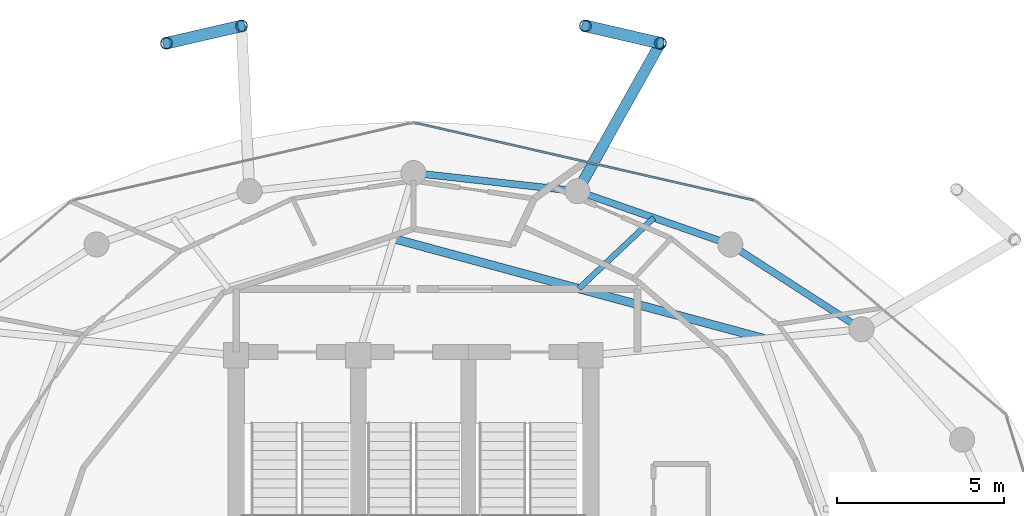
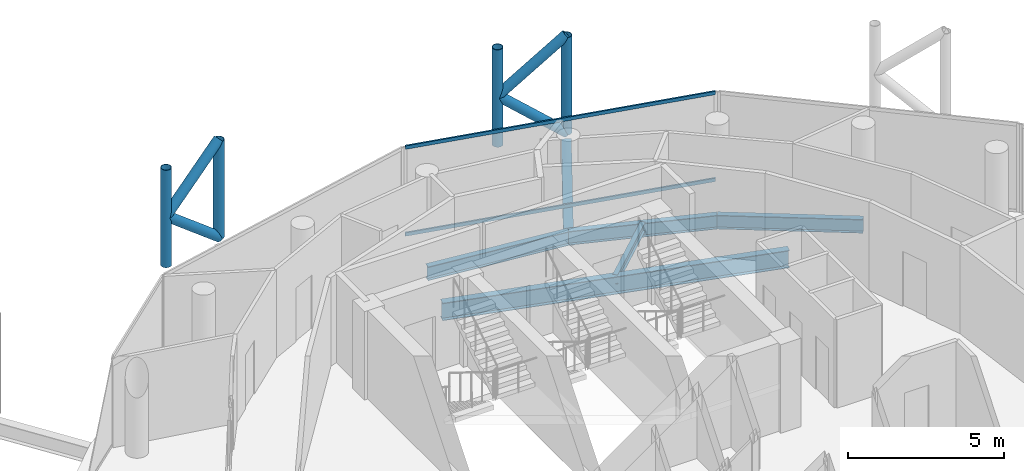
# One storey, part 17 of 24: 10 members, 6 beams, 1 element without a shape of its own.
"""IFC4 building model written with IfcOpenShell, lengths in metres."""

from ifc_helpers import new_model, si_unit, direction, frame, origin, origin_2d, place, context, subcontext, project, spatial, hollow_rectangle, hollow_circle, i_section, extrude, material, layer, layer_set, material_profile, profile_set, type_object, element, aggregate, save


model = new_model("IFC4")

# Units and contexts
model_context = context("Model", 3, precision=1e-05, world=origin(), true_north=direction((0.0, 1.0)))
body_context = subcontext(model_context, "Body", "Model", "MODEL_VIEW")
ifc_project = project(units=[si_unit("LENGTHUNIT", "METRE"), si_unit("AREAUNIT", "SQUARE_METRE"), si_unit("VOLUMEUNIT", "CUBIC_METRE"), si_unit("PLANEANGLEUNIT", "RADIAN"), si_unit("MASSUNIT", "GRAM", prefix="KILO")], contexts=[model_context])

# Site, building, storey
site_placement = place(None, origin())
site = spatial("IfcSite", under=ifc_project, at=site_placement, CompositionType="ELEMENT")
building_placement = place(site_placement, origin())
building = spatial("IfcBuilding", under=site, at=building_placement, Name="Nuhasar Tower", CompositionType="ELEMENT")
storey_placement = place(building_placement, frame((0.0, 0.0, 297.39990234375)))
storey = spatial("IfcBuildingStorey", under=building, at=storey_placement, Name="L74", CompositionType="ELEMENT", Elevation=297.39990234375)

# Beams
ifc_material_1 = material(Name="Steel S355", Category="steel")
ifc_material_profile_1 = material_profile(ifc_material_1, i_section(OverallWidth=0.25390625, OverallDepth=0.68408203125, WebThickness=0.012451171875, FlangeThickness=0.018798828125, at=origin_2d()), Name="W27X94")
ifc_profile_set_1 = profile_set([ifc_material_profile_1], Name="Steel S355")
beam_type_1 = type_object("IfcBeamType", Name="BM-INRING-W27X94", PredefinedType="BEAM", material=ifc_profile_set_1)
beam_1_placement = place(storey_placement, frame((49.48388671875, 37.798095703125, -0.601806640625), z_axis=(-0.965451835482, 0.260581567584, 0.0), x_axis=(-0.260581567584, -0.965451835482, 0.0)))
element("IfcBeam", 1, at=beam_1_placement, inside=storey, type_object=beam_type_1, Name="L74 Inner Header Beam 05", PredefinedType="BEAM", context=body_context, shape_type="SweptSolid", body=[
    extrude(i_section(OverallWidth=0.25390625, OverallDepth=0.68408203125, WebThickness=0.012451171875, FlangeThickness=0.018798828125, at=origin_2d()), origin(), (0.0, 0.0, 1.0), 11.474365234375),
])
ifc_material_profile_2 = material_profile(ifc_material_1, i_section(OverallWidth=0.1708984375, OverallDepth=0.35205078125, WebThickness=0.0068359375, FlangeThickness=0.009765625, at=origin_2d()), Name="W14X30")
ifc_profile_set_2 = profile_set([ifc_material_profile_2], Name="Steel S355")
beam_type_2 = type_object("IfcBeamType", Name="BM-JST-W14X30", PredefinedType="JOIST", material=ifc_profile_set_2)
beam_2_placement = place(storey_placement, frame((43.945068359375, 39.29296875, -0.435791015625), z_axis=(0.727532985224, 0.686072704173, 0.0), x_axis=(-0.686072704173, 0.727532985224, 0.0)))
element("IfcBeam", 2, at=beam_2_placement, inside=storey, type_object=beam_type_2, Name="L74 Secondary Floor Joist 05", PredefinedType="JOIST", context=body_context, shape_type="SweptSolid", body=[
    extrude(i_section(OverallWidth=0.1708984375, OverallDepth=0.35205078125, WebThickness=0.0068359375, FlangeThickness=0.009765625, at=origin_2d()), origin(), (0.0, 0.0, 1.0), 3.085693359375),
])
ifc_material_profile_3 = material_profile(ifc_material_1, i_section(OverallWidth=0.2099609375, OverallDepth=0.537109375, WebThickness=0.010986328125, FlangeThickness=0.017333984375, at=origin_2d()), Name="W21X68")
ifc_profile_set_3 = profile_set([ifc_material_profile_3], Name="Steel S355")
beam_type_3 = type_object("IfcBeamType", Name="BM-RING-W21X68", PredefinedType="SPANDREL", material=ifc_profile_set_3)
beam_3_placement = place(storey_placement, frame((52.39990234375, 38.077880859375, -0.52880859375), z_axis=(-0.840001671147, 0.54258381147, 0.0), x_axis=(-0.54258381147, -0.840001671147, 0.0)))
element("IfcBeam", 3, at=beam_3_placement, inside=storey, type_object=beam_type_3, Name="L74 Perimeter Ring Spandrel 04", PredefinedType="SPANDREL", context=body_context, shape_type="SweptSolid", body=[
    extrude(i_section(OverallWidth=0.2099609375, OverallDepth=0.537109375, WebThickness=0.010986328125, FlangeThickness=0.017333984375, at=origin_2d()), origin(), (0.0, 0.0, 1.0), 4.67236328125),
])
beam_4_placement = place(storey_placement, frame((48.47509765625, 40.613037109375, -0.52880859375), z_axis=(-0.944214043504, 0.329332415729, 0.0), x_axis=(-0.329332415729, -0.944214043504, 0.0)))
element("IfcBeam", 4, at=beam_4_placement, inside=storey, type_object=beam_type_3, Name="L74 Perimeter Ring Spandrel 05", PredefinedType="SPANDREL", context=body_context, shape_type="SweptSolid", body=[
    extrude(i_section(OverallWidth=0.2099609375, OverallDepth=0.537109375, WebThickness=0.010986328125, FlangeThickness=0.017333984375, at=origin_2d()), origin(), (0.0, 0.0, 1.0), 4.840087890625),
])
beam_5_placement = place(storey_placement, frame((43.905029296875, 42.20703125, -0.52880859375), z_axis=(-0.99392889943, 0.110024283128, 0.0), x_axis=(-0.110024283128, -0.99392889943, 0.0)))
element("IfcBeam", 5, at=beam_5_placement, inside=storey, type_object=beam_type_3, Name="L74 Perimeter Ring Spandrel 06", PredefinedType="SPANDREL", context=body_context, shape_type="SweptSolid", body=[
    extrude(i_section(OverallWidth=0.2099609375, OverallDepth=0.537109375, WebThickness=0.010986328125, FlangeThickness=0.017333984375, at=origin_2d()), origin(), (0.0, 0.0, 1.0), 4.93505859375),
])
ifc_material_profile_4 = material_profile(ifc_material_1, i_section(OverallWidth=0.323974609375, OverallDepth=0.611083984375, WebThickness=0.0126953125, FlangeThickness=0.01904296875, at=origin_2d()), Name="W24X104")
ifc_profile_set_4 = profile_set([ifc_material_profile_4], Name="Steel S355")
beam_type_4 = type_object("IfcBeamType", Name="BM-TIE-W24X104", PredefinedType="BEAM", material=ifc_profile_set_4)
beam_6_placement = place(storey_placement, frame((43.905029296875, 42.20703125, -0.56591796875), z_axis=(0.488667847762, 0.872469904675, 0.0), x_axis=(-0.872469904675, 0.488667847762, 0.0)))
element("IfcBeam", 6, at=beam_6_placement, inside=storey, type_object=beam_type_4, Name="L74 Exoskeleton Node Tie Beam 03", PredefinedType="BEAM", context=body_context, shape_type="SweptSolid", body=[
    extrude(i_section(OverallWidth=0.323974609375, OverallDepth=0.611083984375, WebThickness=0.0126953125, FlangeThickness=0.01904296875, at=origin_2d()), origin(), (0.0, 0.0, 1.0), 5.072998046875),
])

# Curtain wall, members
ifc_material_2 = material(Name="Aluminium 6063-T6", Category="aluminium")
ifc_layer = layer(ifc_material_2, 0.18994140625)
ifc_layer_set = layer_set([ifc_layer], Name="Aluminium 6063-T6")
curtain_wall_type = type_object("IfcCurtainWallType", Name="CW-Z4-PEN", PredefinedType="NOTDEFINED", material=ifc_layer_set)
curtain_wall_placement = place(storey_placement, origin())
curtain_wall = element("IfcCurtainWall", 7, at=curtain_wall_placement, inside=storey, type_object=curtain_wall_type, Name="L74 Unitised Curtain Wall 03", PredefinedType="NOTDEFINED")
ifc_material_profile_5 = material_profile(ifc_material_2, hollow_rectangle(XDim=0.06005859375, YDim=0.135009765625, WallThickness=0.00439453125, at=origin_2d()), Name="CWT-5")
ifc_profile_set_5 = profile_set([ifc_material_profile_5], Name="Aluminium 6063-T6")
member_type_1 = type_object("IfcMemberType", Name="CW-TRN-S5", PredefinedType="USERDEFINED", material=ifc_profile_set_5)
member_1_placement = place(storey_placement, frame((49.171630859375, 41.934326171875, 0.030029296875), z_axis=(-0.974843752401, 0.222889341163, 0.0), x_axis=(-0.222889341163, -0.974843752401, 0.0)))
member_1 = element("IfcMember", 8, at=member_1_placement, type_object=member_type_1, Name="CW-Z4 transom 1.1", ObjectType="TRANSOM", PredefinedType="USERDEFINED", context=body_context, shape_type="SweptSolid", body=[
    extrude(hollow_rectangle(XDim=0.06005859375, YDim=0.135009765625, WallThickness=0.00439453125, at=origin_2d()), origin(), (0.0, 0.0, 1.0), 10.3740234375),
])
member_2_placement = place(storey_placement, frame((49.171630859375, 41.934326171875, 3.420166015625), z_axis=(-0.974843752401, 0.222889341163, 0.0), x_axis=(-0.222889341163, -0.974843752401, 0.0)))
member_2 = element("IfcMember", 9, at=member_2_placement, type_object=member_type_1, Name="CW-Z4 transom 1.2", ObjectType="TRANSOM", PredefinedType="USERDEFINED", context=body_context, shape_type="SweptSolid", body=[
    extrude(hollow_rectangle(XDim=0.06005859375, YDim=0.135009765625, WallThickness=0.00439453125, at=origin_2d()), origin(), (0.0, 0.0, 1.0), 10.3740234375),
])
aggregate(curtain_wall, [member_1, member_2])

# Members
ifc_material_3 = material(Name="Steel S460", Category="steel")
ifc_material_profile_6 = material_profile(ifc_material_3, hollow_circle(Radius=0.177734375, WallThickness=0.015869140625, at=origin_2d()), Name="HSS355.6X15.9")
ifc_profile_set_6 = profile_set([ifc_material_profile_6], Name="Steel S460")
member_type_2 = type_object("IfcMemberType", Name="EXO-BRONZE-356", PredefinedType="BRACE", material=ifc_profile_set_6)
for number, where, z_axis, x_axis, name in (
    (10, (46.384033203125, 46.633056640625, 0.0), (0.0, 0.0, 1.0), (1.0, 0.0, 0.0), "L74 Exoskeleton Chord Column EC-03A"),
    (11, (44.14306640625, 47.14892578125, 0.0), (0.0, 0.0, 1.0), (1.0, 0.0, 0.0), "L74 Exoskeleton Chord Column EC-03B"),
    (12, (33.85693359375, 47.14892578125, 0.0), (0.0, 0.0, 1.0), (1.0, 0.0, 0.0), "L74 Exoskeleton Chord Column EC-04A"),
    (13, (31.615966796875, 46.633056640625, 0.0), (0.0, 0.0, 1.0), (1.0, 0.0, 0.0), "L74 Exoskeleton Chord Column EC-04B"),
):
    element("IfcMember", number, at=place(storey_placement, frame(where, z_axis=z_axis, x_axis=x_axis)), inside=storey, type_object=member_type_2, Name=name, PredefinedType="BRACE", context=body_context, shape_type="SweptSolid", body=[
        extrude(hollow_circle(Radius=0.177734375, WallThickness=0.015869140625, at=origin_2d()), origin(), (0.0, 0.0, 1.0), 3.800048828125),
    ])
member_3_placement = place(storey_placement, frame((46.384033203125, 46.633056640625, 0.0), z_axis=(-0.751232450652, 0.172933235454, 0.636980298881), x_axis=(-0.224332214284, -0.974512728308, 0.0)))
element("IfcMember", 14, at=member_3_placement, inside=storey, type_object=member_type_2, Name="L74 Bronze Diagrid Brace W1-03", PredefinedType="BRACE", context=body_context, shape_type="SweptSolid", body=[
    extrude(hollow_circle(Radius=0.177734375, WallThickness=0.015869140625, at=origin_2d()), origin(), (0.0, 0.0, 1.0), 2.983154296875),
])
member_4_placement = place(storey_placement, frame((44.14306640625, 47.14892578125, 1.900146484375), z_axis=(0.751271614502, -0.172942250947, 0.636931659663), x_axis=(0.224332214284, 0.974512728308, 0.0)))
element("IfcMember", 15, at=member_4_placement, inside=storey, type_object=member_type_2, Name="L74 Bronze Diagrid Brace W2-03", PredefinedType="BRACE", context=body_context, shape_type="SweptSolid", body=[
    extrude(hollow_circle(Radius=0.177734375, WallThickness=0.015869140625, at=origin_2d()), origin(), (0.0, 0.0, 1.0), 2.98291015625),
])
member_5_placement = place(storey_placement, frame((33.85693359375, 47.14892578125, 0.0), z_axis=(-0.751232450652, -0.172933235454, 0.636980298881), x_axis=(0.224332214284, -0.974512728308, 0.0)))
element("IfcMember", 16, at=member_5_placement, inside=storey, type_object=member_type_2, Name="L74 Bronze Diagrid Brace W1-04", PredefinedType="BRACE", context=body_context, shape_type="SweptSolid", body=[
    extrude(hollow_circle(Radius=0.177734375, WallThickness=0.015869140625, at=origin_2d()), origin(), (0.0, 0.0, 1.0), 2.983154296875),
])
member_6_placement = place(storey_placement, frame((31.615966796875, 46.633056640625, 1.900146484375), z_axis=(0.751271614502, 0.172942250947, 0.636931659663), x_axis=(-0.224332214284, 0.974512728308, 0.0)))
element("IfcMember", 17, at=member_6_placement, inside=storey, type_object=member_type_2, Name="L74 Bronze Diagrid Brace W2-04", PredefinedType="BRACE", context=body_context, shape_type="SweptSolid", body=[
    extrude(hollow_circle(Radius=0.177734375, WallThickness=0.015869140625, at=origin_2d()), origin(), (0.0, 0.0, 1.0), 2.98291015625),
])

save(model, "model.ifc")
